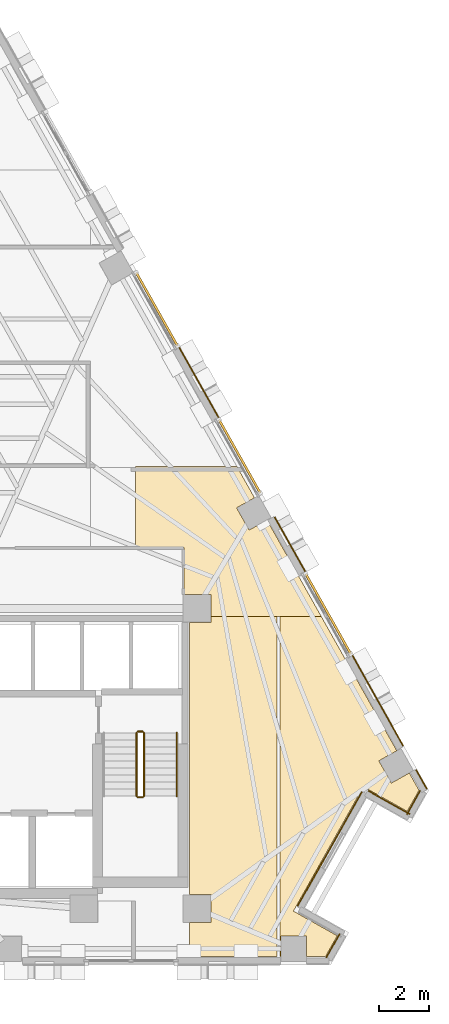
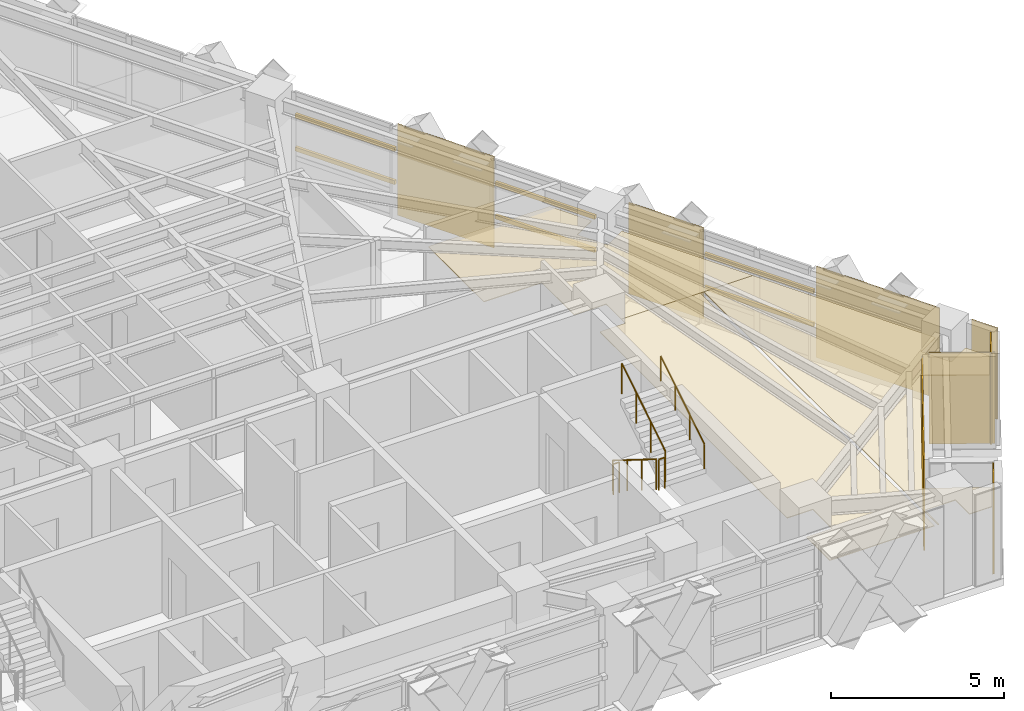
# One storey, part 13 of 14: 11 coverings, 6 shading devices, 5 railings.
"""IFC4 building model written with IfcOpenShell, lengths in metres."""

from ifc_helpers import new_model, si_unit, direction, frame, origin, origin_2d, place, context, subcontext, project, spatial, polyline, rectangle, circle, outline, extrude, material, layer, layer_set, material_profile, profile_set, type_object, element, save


model = new_model("IFC4")

# Units and contexts
model_context = context("Model", 3, precision=1e-05, world=origin(), true_north=direction((0.0, 1.0)))
body_context = subcontext(model_context, "Body", "Model", "MODEL_VIEW")
ifc_project = project(units=[si_unit("LENGTHUNIT", "METRE"), si_unit("AREAUNIT", "SQUARE_METRE"), si_unit("VOLUMEUNIT", "CUBIC_METRE"), si_unit("PLANEANGLEUNIT", "RADIAN"), si_unit("MASSUNIT", "GRAM", prefix="KILO")], contexts=[model_context])

# Site, building, storey
site_placement = place(None, origin())
site = spatial("IfcSite", under=ifc_project, at=site_placement, CompositionType="ELEMENT")
building_placement = place(site_placement, origin())
building = spatial("IfcBuilding", under=site, at=building_placement, Name="Quenlor Broadcast Tower", CompositionType="ELEMENT")
storey_placement = place(building_placement, frame((0.0, 0.0, 133.5)))
storey = spatial("IfcBuildingStorey", under=building, at=storey_placement, Name="L36", CompositionType="ELEMENT", Elevation=133.5)

# Coverings
ifc_material_1 = material(Name="Acoustic Mineral Fibre Board", Category="other")
ifc_layer_1 = layer(ifc_material_1, 0.02490234375)
ifc_layer_set_1 = layer_set([ifc_layer_1], Name="Acoustic Perforated Mineral Tile Ceiling 25")
covering_type_1 = type_object("IfcCoveringType", Name="Acoustic Perforated Mineral Tile Ceiling 25", PredefinedType="CEILING", material=ifc_layer_set_1)
covering_1_placement = place(storey_placement, frame((0.0, 0.0, 2.375)))
element("IfcCovering", 1, at=covering_1_placement, inside=storey, type_object=covering_type_1, Name="L36 Acoustic Ceiling L36-35", PredefinedType="CEILING", context=body_context, shape_type="SweptSolid", body=[
    extrude(outline(polyline([(13.508056640625, -4.241943359375), (12.43994140625, -4.241943359375), (12.43994140625, -2.3701171875), (10.50537109375, -2.3701171875), (10.50537109375, 0.840087890625), (14.5498046875, 0.840087890625), (15.2451171875, -0.39599609375), (14.5322265625, -0.797119140625), (15.0302734375, -1.6826171875), (15.7431640625, -1.281494140625), (17.90234375, -5.1201171875), (16.260009765625, -5.1201171875), (16.139892578125, -5.1201171875), (13.508056640625, -5.1201171875), (13.508056640625, -4.241943359375)])), origin(), (0.0, 0.0, 1.0), 0.02490234375),
])
covering_2_placement = place(storey_placement, frame((0.0, 0.0, 2.375)))
element("IfcCovering", 2, at=covering_2_placement, inside=storey, type_object=covering_type_1, Name="L36 Acoustic Ceiling L36-35-2", PredefinedType="CEILING", context=body_context, shape_type="SweptSolid", body=[
    extrude(outline(polyline([(13.508056640625, -5.1201171875), (16.139892578125, -5.1201171875), (16.139892578125, -18.659912109375), (12.64990234375, -18.659912109375), (12.64990234375, -17.30810546875), (13.508056640625, -17.30810546875), (13.508056640625, -16.19189453125), (12.64990234375, -16.19189453125), (12.64990234375, -5.35791015625), (13.508056640625, -5.35791015625), (13.508056640625, -5.1201171875)])), origin(), (0.0, 0.0, 1.0), 0.02490234375),
])
covering_3_placement = place(storey_placement, frame((0.0, 0.0, 2.375)))
element("IfcCovering", 3, at=covering_3_placement, inside=storey, type_object=covering_type_1, Name="L36 Acoustic Ceiling L36-35-3", PredefinedType="CEILING", context=body_context, shape_type="SweptSolid", body=[
    extrude(outline(polyline([(20.90869140625, -10.46484375), (20.19580078125, -10.86572265625), (20.694091796875, -11.751220703125), (21.406982421875, -11.350341796875), (21.794921875, -12.0400390625), (21.323486328125, -12.878173828125), (19.580322265625, -11.8974609375), (16.795654296875, -16.847900390625), (18.538818359375, -17.82861328125), (18.071044921875, -18.659912109375), (17.31640625, -18.659912109375), (17.31640625, -17.842041015625), (16.30029296875, -17.842041015625), (16.30029296875, -18.659912109375), (16.260009765625, -18.659912109375), (16.260009765625, -5.1201171875), (17.90234375, -5.1201171875), (20.90869140625, -10.46484375)])), origin(), (0.0, 0.0, 1.0), 0.02490234375),
])

# Shading devices
ifc_material_2 = material(Name="Architectural Terracotta Ceramic", Category="masonry")
ifc_material_profile = material_profile(ifc_material_2, rectangle(XDim=0.090087890625, YDim=0.139892578125, at=origin_2d()))
ifc_profile_set = profile_set([ifc_material_profile], Name="Architectural Terracotta Ceramic BAG90x140")
shading_device_type = type_object("IfcShadingDeviceType", Name="Copper Terracotta Baguette Solar Screen 140", PredefinedType="USERDEFINED", material=ifc_profile_set)
for number, where, z_axis, x_axis, name in (
    (4, (17.282958984375, -3.421142578125, 1.169921875), (0.490258076222, -0.871577316535, 0.0), (0.871577316535, 0.490258076222, 0.0), "L36 Terracotta Baguette Screen 1"),
    (5, (17.282958984375, -3.421142578125, 2.340087890625), (0.490258076222, -0.871577316535, 0.0), (0.871577316535, 0.490258076222, 0.0), "L36 Terracotta Baguette Screen 2"),
):
    element("IfcShadingDevice", number, at=place(storey_placement, frame(where, z_axis=z_axis, x_axis=x_axis)), inside=storey, type_object=shading_device_type, Name=name, ObjectType="BAGUETTE", PredefinedType="USERDEFINED", context=body_context, shape_type="SweptSolid", body=[
        extrude(rectangle(XDim=0.090087890625, YDim=0.139892578125, at=origin_2d()), origin(), (0.0, 0.0, 1.0), 3.6640625),
    ])
for number, where, z_axis, x_axis, name in (
    (6, (10.54052734375, 8.565185546875, 1.169921875), (0.490257780007, -0.871577483155, 0.0), (0.871577483155, 0.490257780007, 0.0), "L36 Terracotta Baguette Screen 1"),
    (7, (10.54052734375, 8.565185546875, 2.340087890625), (0.490257780007, -0.871577483155, 0.0), (0.871577483155, 0.490257780007, 0.0), "L36 Terracotta Baguette Screen 2"),
    (8, (13.8349609375, 2.708740234375, 1.169921875), (0.490288918116, -0.871559967399, 0.0), (0.871559967399, 0.490288918116, 0.0), "L36 Terracotta Baguette Screen 1"),
    (9, (13.8349609375, 2.708740234375, 2.340087890625), (0.490288918116, -0.871559967399, 0.0), (0.871559967399, 0.490288918116, 0.0), "L36 Terracotta Baguette Screen 2"),
):
    element("IfcShadingDevice", number, at=place(storey_placement, frame(where, z_axis=z_axis, x_axis=x_axis)), inside=storey, type_object=shading_device_type, Name=name, ObjectType="BAGUETTE", PredefinedType="USERDEFINED", context=body_context, shape_type="SweptSolid", body=[
        extrude(rectangle(XDim=0.090087890625, YDim=0.139892578125, at=origin_2d()), origin(), (0.0, 0.0, 1.0), 3.350341796875),
    ])

# Coverings
ifc_material_3 = material(Name="Architectural Terracotta Ceramic", Category="masonry")
ifc_layer_2 = layer(ifc_material_3, 0.044921875)
ifc_layer_set_2 = layer_set([ifc_layer_2], Name="Fluted Terracotta Rainscreen Cladding Panel")
covering_type_2 = type_object("IfcCoveringType", Name="Fluted Terracotta Rainscreen Cladding Panel", PredefinedType="CLADDING", material=ifc_layer_set_2)
covering_4_placement = place(storey_placement, frame((0.0, 0.0, 0.02001953125)))
element("IfcCovering", 10, at=covering_4_placement, inside=storey, type_object=covering_type_2, Name="L36 Terracotta Rainscreen Cladding L36-SHD-NES1", PredefinedType="CLADDING", context=body_context, shape_type="SweptSolid", body=[
    extrude(outline(polyline([(21.66162109375, -11.23779296875), (22.0859375, -11.992431640625), (22.125244140625, -11.970458984375), (21.70068359375, -11.2158203125), (21.66162109375, -11.23779296875)])), origin(), (0.0, 0.0, 1.0), 3.2099609375),
])
covering_5_placement = place(storey_placement, frame((0.0, 0.0, 0.02001953125)))
element("IfcCovering", 11, at=covering_5_placement, inside=storey, type_object=covering_type_2, Name="L36 Terracotta Rainscreen Cladding L36-NEC-SP1", PredefinedType="CLADDING", context=body_context, shape_type="SweptSolid", body=[
    extrude(outline(polyline([(16.025146484375, -1.1767578125), (17.254638671875, -3.362548828125), (17.2939453125, -3.340576171875), (16.064453125, -1.15478515625), (16.025146484375, -1.1767578125)])), origin(), (0.0, 0.0, 1.0), 3.2099609375),
])
covering_6_placement = place(storey_placement, frame((0.0, 0.0, 0.02001953125)))
element("IfcCovering", 12, at=covering_6_placement, inside=storey, type_object=covering_type_2, Name="L36 Terracotta Rainscreen Cladding L36-NEC-SP2", PredefinedType="CLADDING", context=body_context, shape_type="SweptSolid", body=[
    extrude(outline(polyline([(19.11474609375, -6.66943359375), (21.14453125, -10.278076171875), (21.183837890625, -10.256103515625), (19.154052734375, -6.6474609375), (19.11474609375, -6.66943359375)])), origin(), (0.0, 0.0, 1.0), 3.2099609375),
])
covering_7_placement = place(storey_placement, frame((0.0, 0.0, 0.02001953125)))
element("IfcCovering", 13, at=covering_7_placement, inside=storey, type_object=covering_type_2, Name="L36 Terracotta Rainscreen Cladding L36-NE-SP1", PredefinedType="CLADDING", context=body_context, shape_type="SweptSolid", body=[
    extrude(outline(polyline([(12.218505859375, 5.59033203125), (13.806396484375, 2.767333984375), (13.845703125, 2.789306640625), (12.2578125, 5.6123046875), (12.218505859375, 5.59033203125)])), origin(), (0.0, 0.0, 1.0), 3.2099609375),
])
covering_8_placement = place(storey_placement, frame((0.0, 0.0, 0.02001953125)))
element("IfcCovering", 14, at=covering_8_placement, inside=storey, type_object=covering_type_2, Name="L36 Terracotta Rainscreen Cladding L36-CNR-02", PredefinedType="CLADDING", context=body_context, shape_type="SweptSolid", body=[
    extrude(outline(polyline([(16.9775390625, -16.663330078125), (19.53662109375, -12.11376953125), (19.49755859375, -12.091796875), (16.938232421875, -16.641357421875), (16.9775390625, -16.663330078125)])), origin(), (0.0, 0.0, 1.0), 3.2099609375),
])
covering_9_placement = place(storey_placement, frame((0.0, 0.0, 0.02001953125)))
element("IfcCovering", 15, at=covering_9_placement, inside=storey, type_object=covering_type_2, Name="L36 Terracotta Rainscreen Cladding L36-CNR-03", PredefinedType="CLADDING", context=body_context, shape_type="SweptSolid", body=[
    extrude(outline(polyline([(19.764892578125, -12.079345703125), (21.4208984375, -13.010986328125), (21.443115234375, -12.9716796875), (19.787109375, -12.0400390625), (19.764892578125, -12.079345703125)])), origin(), (0.0, 0.0, 1.0), 3.2099609375),
])
covering_10_placement = place(storey_placement, frame((0.0, 0.0, 0.02001953125)))
element("IfcCovering", 16, at=covering_10_placement, inside=storey, type_object=covering_type_2, Name="L36 Terracotta Rainscreen Cladding L36-CNR-04", PredefinedType="CLADDING", context=body_context, shape_type="SweptSolid", body=[
    extrude(outline(polyline([(21.328857421875, -13.007080078125), (21.859619140625, -12.0634765625), (21.820556640625, -12.04150390625), (21.289794921875, -12.985107421875), (21.328857421875, -13.007080078125)])), origin(), (0.0, 0.0, 1.0), 3.2099609375),
])
covering_11_placement = place(storey_placement, frame((0.0, 0.0, 0.02001953125)))
element("IfcCovering", 17, at=covering_11_placement, inside=storey, type_object=covering_type_2, Name="L36 Terracotta Rainscreen Cladding L36-CNR-18", PredefinedType="CLADDING", context=body_context, shape_type="SweptSolid", body=[
    extrude(outline(polyline([(18.122802734375, -18.70654296875), (18.652099609375, -17.76611328125), (18.61279296875, -17.743896484375), (18.083740234375, -18.6845703125), (18.122802734375, -18.70654296875)])), origin(), (0.0, 0.0, 1.0), 3.2099609375),
])

# Railings
ifc_material_4 = material(Name="Anodised Aluminium", Category="aluminium")
railing_type_1 = type_object("IfcRailingType", Name="Stainless Aluminium Wall Handrail 900", PredefinedType="HANDRAIL", material=ifc_material_4)
railing_1_placement = place(storey_placement, frame((12.14990234375, -12.27001953125, 1.925048828125)))
element("IfcRailing", 18, at=railing_1_placement, inside=storey, type_object=railing_type_1, Name="L36 ST-2 stair handrail 2", PredefinedType="HANDRAIL", context=body_context, shape_type="SweptSolid", body=[
    extrude(circle(Radius=0.02392578125, at=origin_2d()), frame((0.0, 0.0, 0.8759765625), z_axis=(0.0, 0.848007534815, 0.529984170421), x_axis=(-1.0, 0.0, 0.0)), (0.0, 0.0, 1.0), 2.9716796875),
    extrude(circle(Radius=0.02099609375, at=origin_2d()), origin(), (0.0, 0.0, 1.0), 0.851806640625),
    extrude(circle(Radius=0.02099609375, at=origin_2d()), frame((0.0, 0.840087890625, 0.52490234375)), (0.0, 0.0, 1.0), 0.851806640625),
    extrude(circle(Radius=0.02099609375, at=origin_2d()), frame((0.0, 1.679931640625, 1.050048828125)), (0.0, 0.0, 1.0), 0.851806640625),
    extrude(circle(Radius=0.02099609375, at=origin_2d()), frame((0.0, 2.52001953125, 1.574951171875)), (0.0, 0.0, 1.0), 0.851806640625),
])
ifc_material_5 = material(Name="Steel S355", Category="steel")
railing_type_2 = type_object("IfcRailingType", Name="Tubular Steel S355 Stair Guardrail 1100", PredefinedType="BALUSTRADE", material=ifc_material_5)
railing_2_placement = place(storey_placement, frame((10.550048828125, -9.75, 0.175048828125)))
element("IfcRailing", 19, at=railing_2_placement, inside=storey, type_object=railing_type_2, Name="L36 ST-2 stair guard 1", PredefinedType="BALUSTRADE", context=body_context, shape_type="SweptSolid", body=[
    extrude(circle(Radius=0.02392578125, at=origin_2d()), frame((0.0, 0.0, 1.076171875), z_axis=(0.0, -0.848007534815, 0.529984170421), x_axis=(1.0, 0.0, 0.0)), (0.0, 0.0, 1.0), 2.9716796875),
    extrude(circle(Radius=0.02099609375, at=origin_2d()), origin(), (0.0, 0.0, 1.0), 1.052001953125),
    extrude(circle(Radius=0.02099609375, at=origin_2d()), frame((0.0, -0.840087890625, 0.52490234375)), (0.0, 0.0, 1.0), 1.052001953125),
    extrude(circle(Radius=0.02099609375, at=origin_2d()), frame((0.0, -1.679931640625, 1.050048828125)), (0.0, 0.0, 1.0), 1.052001953125),
    extrude(circle(Radius=0.02099609375, at=origin_2d()), frame((0.0, -2.52001953125, 1.574951171875)), (0.0, 0.0, 1.0), 1.052001953125),
])
railing_3_placement = place(storey_placement, frame((10.60009765625, -12.320068359375, 1.75)))
element("IfcRailing", 20, at=railing_3_placement, inside=storey, type_object=railing_type_2, Name="L36 ST-2 stair guard 2", PredefinedType="BALUSTRADE", context=body_context, shape_type="SweptSolid", body=[
    extrude(circle(Radius=0.02392578125, at=origin_2d()), frame((0.0, 0.0, 1.076171875), z_axis=(1.0, 0.0, 0.0), x_axis=(0.0, 1.0, 0.0)), (0.0, 0.0, 1.0), 0.199951171875),
    extrude(circle(Radius=0.02099609375, at=origin_2d()), origin(), (0.0, 0.0, 1.0), 1.052001953125),
    extrude(circle(Radius=0.02099609375, at=origin_2d()), frame((0.199951171875, 0.0, 0.0)), (0.0, 0.0, 1.0), 1.052001953125),
])
railing_4_placement = place(storey_placement, frame((10.85009765625, -12.27001953125, 1.925048828125)))
element("IfcRailing", 21, at=railing_4_placement, inside=storey, type_object=railing_type_2, Name="L36 ST-2 stair guard 3", PredefinedType="BALUSTRADE", context=body_context, shape_type="SweptSolid", body=[
    extrude(circle(Radius=0.02392578125, at=origin_2d()), frame((0.0, 0.0, 1.076171875), z_axis=(0.0, 0.848007534815, 0.529984170421), x_axis=(-1.0, 0.0, 0.0)), (0.0, 0.0, 1.0), 2.9716796875),
    extrude(circle(Radius=0.02099609375, at=origin_2d()), origin(), (0.0, 0.0, 1.0), 1.052001953125),
    extrude(circle(Radius=0.02099609375, at=origin_2d()), frame((0.0, 0.840087890625, 0.52490234375)), (0.0, 0.0, 1.0), 1.052001953125),
    extrude(circle(Radius=0.02099609375, at=origin_2d()), frame((0.0, 1.679931640625, 1.050048828125)), (0.0, 0.0, 1.0), 1.052001953125),
    extrude(circle(Radius=0.02099609375, at=origin_2d()), frame((0.0, 2.52001953125, 1.574951171875)), (0.0, 0.0, 1.0), 1.052001953125),
])
railing_5_placement = place(storey_placement, frame((10.60009765625, -9.699951171875, 0.0)))
element("IfcRailing", 22, at=railing_5_placement, inside=storey, type_object=railing_type_2, Name="L36 ST-2 stair guard 4", PredefinedType="BALUSTRADE", context=body_context, shape_type="SweptSolid", body=[
    extrude(circle(Radius=0.02392578125, at=origin_2d()), frame((0.0, 0.0, 1.076171875), z_axis=(1.0, 0.0, 0.0), x_axis=(0.0, 1.0, 0.0)), (0.0, 0.0, 1.0), 0.199951171875),
    extrude(circle(Radius=0.02099609375, at=origin_2d()), origin(), (0.0, 0.0, 1.0), 1.052001953125),
    extrude(circle(Radius=0.02099609375, at=origin_2d()), frame((0.199951171875, 0.0, 0.0)), (0.0, 0.0, 1.0), 1.052001953125),
])

save(model, "model.ifc")
